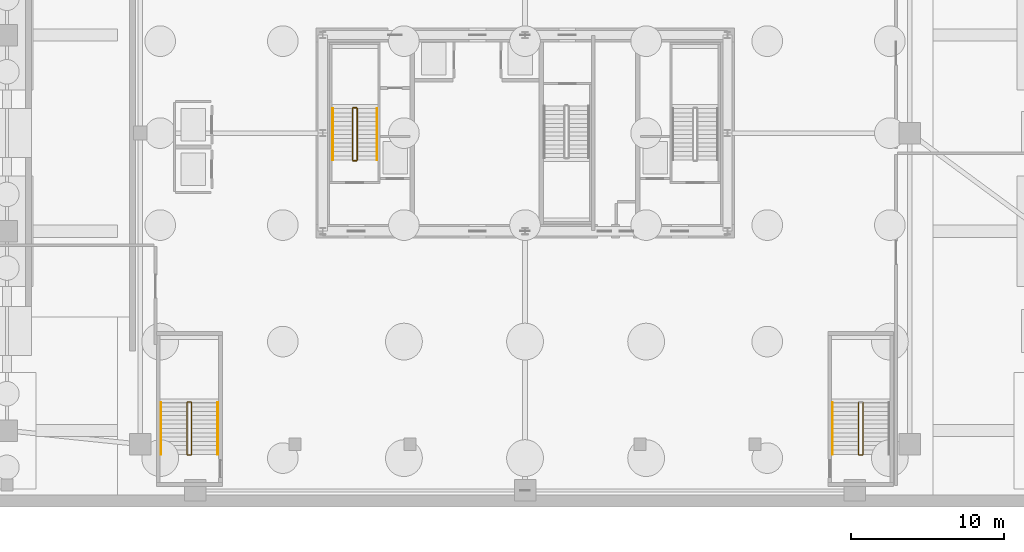
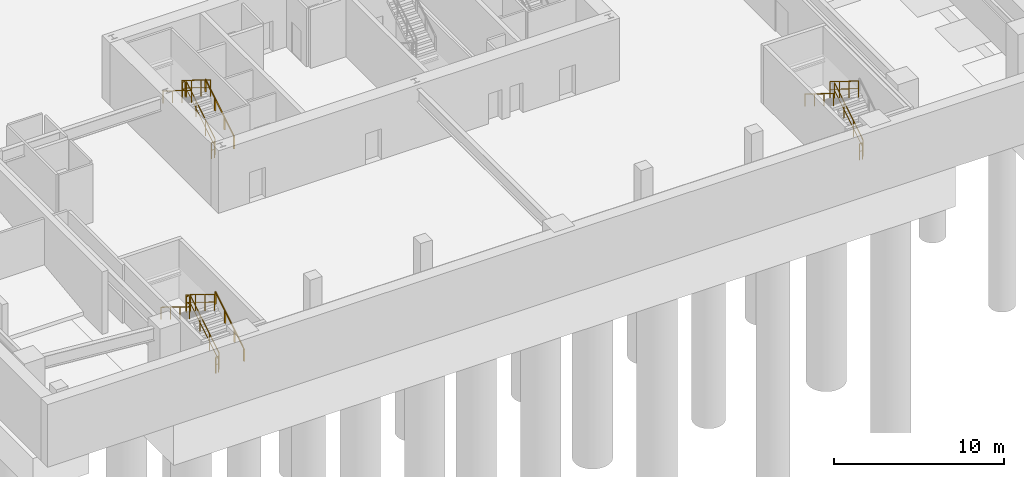
# One storey, part 8 of 10: 16 railings.
"""IFC4 building model written with IfcOpenShell, lengths in metres."""

from ifc_helpers import new_model, si_unit, direction, frame, origin, origin_2d, place, context, subcontext, project, spatial, rectangle, extrude, source, transform, mapped, material, layer, layer_set, type_object, element, save


model = new_model("IFC4")

# Units and contexts
model_context = context("Model", 3, precision=1e-05, world=origin(), true_north=direction((0.0, 1.0)))
body_context = subcontext(model_context, "Body", "Model", "MODEL_VIEW")
ifc_project = project(units=[si_unit("LENGTHUNIT", "METRE"), si_unit("AREAUNIT", "SQUARE_METRE"), si_unit("VOLUMEUNIT", "CUBIC_METRE"), si_unit("PLANEANGLEUNIT", "RADIAN"), si_unit("MASSUNIT", "GRAM", prefix="KILO"), si_unit("THERMODYNAMICTEMPERATUREUNIT", "KELVIN"), si_unit("POWERUNIT", "WATT")], contexts=[model_context])

# Site, building, storey
site_placement = place(None, origin())
site = spatial("IfcSite", under=ifc_project, at=site_placement, CompositionType="ELEMENT")
building_placement = place(site_placement, origin())
building = spatial("IfcBuilding", under=site, at=building_placement, Name="Yuzanri Waterfront Tower", CompositionType="ELEMENT")
storey_placement = place(building_placement, frame((0.0, 0.0, -9.0)))
storey = spatial("IfcBuildingStorey", under=building, at=storey_placement, Name="B02", CompositionType="ELEMENT", Elevation=-9.0)

# Railings
ifc_material_1 = material(Name="Painted Galvanized Fire Steel", Category="steel")
ifc_layer_1 = layer(ifc_material_1, 0.06005859375)
ifc_layer_set_1 = layer_set([ifc_layer_1], Name="Painted Galvanized Fire Steel")
railing_type_1 = type_object("IfcRailingType", Name="Painted Steel Stairwell Guardrail 1120", PredefinedType="GUARDRAIL", material=ifc_layer_set_1)
shared_shape_1 = source(origin(), body_context, "Body", "SweptSolid", [
    extrude(rectangle(XDim=0.050048828125, YDim=0.050048828125, at=origin_2d()), frame((0.0, 0.0, 1.1748046875), z_axis=(0.0, 0.850606129759, 0.525803396734), x_axis=(-1.0, 0.0, 0.0)), (0.0, 0.0, 1.0), 3.949951171875),
    extrude(rectangle(XDim=0.035888671875, YDim=0.030029296875, at=origin_2d()), frame((0.0, 0.0, 0.6240234375), z_axis=(0.0, 0.850606129759, 0.525803396734), x_axis=(-1.0, 0.0, 0.0)), (0.0, 0.0, 1.0), 3.949951171875),
    extrude(rectangle(XDim=0.0458984375, YDim=0.0458984375, at=origin_2d()), origin(), (0.0, 0.0, 1.0), 1.14990234375),
    extrude(rectangle(XDim=0.0458984375, YDim=0.0458984375, at=origin_2d()), frame((0.0, 1.119873046875, 0.6923828125)), (0.0, 0.0, 1.0), 1.14990234375),
    extrude(rectangle(XDim=0.0458984375, YDim=0.0458984375, at=origin_2d()), frame((0.0, 2.239990234375, 1.384521484375)), (0.0, 0.0, 1.0), 1.14990234375),
    extrude(rectangle(XDim=0.0458984375, YDim=0.0458984375, at=origin_2d()), frame((0.0, 3.35986328125, 2.076904296875)), (0.0, 0.0, 1.0), 1.14990234375),
])
for number, where, name in (
    (1, (26.050048828125, 24.0400390625, 0.173095703125), "B02 ST-01 stair guard 1"),
    (2, (15.25, 4.85009765625, 0.173095703125), "B02 PST-01 stair guard 1"),
    (3, (59.050048828125, 4.85009765625, 0.173095703125), "B02 PST-02 stair guard 1"),
):
    element("IfcRailing", number, at=place(storey_placement, frame(where)), inside=storey, type_object=railing_type_1, Name=name, PredefinedType="GUARDRAIL", context=body_context, shape_type="MappedRepresentation", body=[
        mapped(shared_shape_1, transform((0.0, 0.0, 0.0), scale=1.0)),
    ])
shared_shape_2 = source(origin(), body_context, "Body", "SweptSolid", [
    extrude(rectangle(XDim=0.050048828125, YDim=0.050048828125, at=origin_2d()), frame((0.0, 0.0, 1.1748046875), z_axis=(-1.0, 0.0, 0.0), x_axis=(0.0, -1.0, 0.0)), (0.0, 0.0, 1.0), 0.199951171875),
    extrude(rectangle(XDim=0.035888671875, YDim=0.030029296875, at=origin_2d()), frame((0.0, 0.0, 0.6240234375), z_axis=(-1.0, 0.0, 0.0), x_axis=(0.0, -1.0, 0.0)), (0.0, 0.0, 1.0), 0.199951171875),
    extrude(rectangle(XDim=0.0458984375, YDim=0.0458984375, at=origin_2d()), origin(), (0.0, 0.0, 1.0), 1.14990234375),
    extrude(rectangle(XDim=0.0458984375, YDim=0.0458984375, at=origin_2d()), frame((-0.199951171875, 0.0, 0.0)), (0.0, 0.0, 1.0), 1.14990234375),
])
for number, where, name in (
    (4, (26.0, 27.449951171875, 2.25), "B02 ST-01 stair guard 2"),
    (5, (26.0, 23.989990234375, 0.0), "B02 ST-01 stair guard 4"),
    (6, (15.199951171875, 8.260009765625, 2.25), "B02 PST-01 stair guard 2"),
    (7, (15.199951171875, 4.800048828125, 0.0), "B02 PST-01 stair guard 4"),
    (8, (59.0, 4.800048828125, 0.0), "B02 PST-02 stair guard 4"),
):
    element("IfcRailing", number, at=place(storey_placement, frame(where)), inside=storey, type_object=railing_type_1, Name=name, PredefinedType="GUARDRAIL", context=body_context, shape_type="MappedRepresentation", body=[
        mapped(shared_shape_2, transform((0.0, 0.0, 0.0), scale=1.0)),
    ])
shared_shape_3 = source(origin(), body_context, "Body", "SweptSolid", [
    extrude(rectangle(XDim=0.050048828125, YDim=0.050048828125, at=origin_2d()), frame((0.0, 0.0, 1.1748046875), z_axis=(0.0, -0.850606129759, 0.525803396734), x_axis=(1.0, 0.0, 0.0)), (0.0, 0.0, 1.0), 3.949951171875),
    extrude(rectangle(XDim=0.035888671875, YDim=0.030029296875, at=origin_2d()), frame((0.0, 0.0, 0.6240234375), z_axis=(0.0, -0.850606129759, 0.525803396734), x_axis=(1.0, 0.0, 0.0)), (0.0, 0.0, 1.0), 3.949951171875),
    extrude(rectangle(XDim=0.0458984375, YDim=0.0458984375, at=origin_2d()), origin(), (0.0, 0.0, 1.0), 1.14990234375),
    extrude(rectangle(XDim=0.0458984375, YDim=0.0458984375, at=origin_2d()), frame((0.0, -1.119873046875, 0.6923828125)), (0.0, 0.0, 1.0), 1.14990234375),
    extrude(rectangle(XDim=0.0458984375, YDim=0.0458984375, at=origin_2d()), frame((0.0, -2.239990234375, 1.384521484375)), (0.0, 0.0, 1.0), 1.14990234375),
    extrude(rectangle(XDim=0.0458984375, YDim=0.0458984375, at=origin_2d()), frame((0.0, -3.35986328125, 2.076904296875)), (0.0, 0.0, 1.0), 1.14990234375),
])
for number, where, name in (
    (9, (25.75, 27.39990234375, 2.423095703125), "B02 ST-01 stair guard 3"),
    (10, (14.949951171875, 8.2099609375, 2.423095703125), "B02 PST-01 stair guard 3"),
    (11, (58.75, 8.2099609375, 2.423095703125), "B02 PST-02 stair guard 3"),
):
    element("IfcRailing", number, at=place(storey_placement, frame(where)), inside=storey, type_object=railing_type_1, Name=name, PredefinedType="GUARDRAIL", context=body_context, shape_type="MappedRepresentation", body=[
        mapped(shared_shape_3, transform((0.0, 0.0, 0.0), scale=1.0)),
    ])
ifc_material_2 = material(Name="Anodized Architectural Bronze", Category="metal")
ifc_layer_2 = layer(ifc_material_2, 0.050048828125)
ifc_layer_set_2 = layer_set([ifc_layer_2], Name="Anodized Architectural Bronze")
railing_type_2 = type_object("IfcRailingType", Name="Brushed Bronze Stair Pitch Handrail 920", PredefinedType="HANDRAIL", material=ifc_layer_set_2)
shared_shape_4 = source(origin(), body_context, "Body", "SweptSolid", [
    extrude(rectangle(XDim=0.050048828125, YDim=0.050048828125, at=origin_2d()), frame((0.0, 0.0, 0.875), z_axis=(0.0, 0.850606129759, 0.525803396734), x_axis=(-1.0, 0.0, 0.0)), (0.0, 0.0, 1.0), 3.949951171875),
    extrude(rectangle(XDim=0.0458984375, YDim=0.0458984375, at=origin_2d()), origin(), (0.0, 0.0, 1.0), 0.849853515625),
    extrude(rectangle(XDim=0.0458984375, YDim=0.0458984375, at=origin_2d()), frame((0.0, 1.119873046875, 0.6923828125)), (0.0, 0.0, 1.0), 0.849853515625),
    extrude(rectangle(XDim=0.0458984375, YDim=0.0458984375, at=origin_2d()), frame((0.0, 2.239990234375, 1.384521484375)), (0.0, 0.0, 1.0), 0.849853515625),
    extrude(rectangle(XDim=0.0458984375, YDim=0.0458984375, at=origin_2d()), frame((0.0, 3.35986328125, 2.076904296875)), (0.0, 0.0, 1.0), 0.849853515625),
])
for number, where, name in (
    (12, (27.35009765625, 24.0400390625, 0.173095703125), "B02 ST-01 stair handrail 1"),
    (13, (16.949951171875, 4.85009765625, 0.173095703125), "B02 PST-01 stair handrail 1"),
):
    element("IfcRailing", number, at=place(storey_placement, frame(where)), inside=storey, type_object=railing_type_2, Name=name, PredefinedType="HANDRAIL", context=body_context, shape_type="MappedRepresentation", body=[
        mapped(shared_shape_4, transform((0.0, 0.0, 0.0), scale=1.0)),
    ])
shared_shape_5 = source(origin(), body_context, "Body", "SweptSolid", [
    extrude(rectangle(XDim=0.050048828125, YDim=0.050048828125, at=origin_2d()), frame((0.0, 0.0, 0.875), z_axis=(0.0, -0.850606129759, 0.525803396734), x_axis=(1.0, 0.0, 0.0)), (0.0, 0.0, 1.0), 3.949951171875),
    extrude(rectangle(XDim=0.0458984375, YDim=0.0458984375, at=origin_2d()), origin(), (0.0, 0.0, 1.0), 0.849853515625),
    extrude(rectangle(XDim=0.0458984375, YDim=0.0458984375, at=origin_2d()), frame((0.0, -1.119873046875, 0.6923828125)), (0.0, 0.0, 1.0), 0.849853515625),
    extrude(rectangle(XDim=0.0458984375, YDim=0.0458984375, at=origin_2d()), frame((0.0, -2.239990234375, 1.384521484375)), (0.0, 0.0, 1.0), 0.849853515625),
    extrude(rectangle(XDim=0.0458984375, YDim=0.0458984375, at=origin_2d()), frame((0.0, -3.35986328125, 2.076904296875)), (0.0, 0.0, 1.0), 0.849853515625),
])
for number, where, name in (
    (14, (24.449951171875, 27.39990234375, 2.423095703125), "B02 ST-01 stair handrail 2"),
    (15, (13.25, 8.2099609375, 2.423095703125), "B02 PST-01 stair handrail 2"),
    (16, (57.050048828125, 8.2099609375, 2.423095703125), "B02 PST-02 stair handrail 2"),
):
    element("IfcRailing", number, at=place(storey_placement, frame(where)), inside=storey, type_object=railing_type_2, Name=name, PredefinedType="HANDRAIL", context=body_context, shape_type="MappedRepresentation", body=[
        mapped(shared_shape_5, transform((0.0, 0.0, 0.0), scale=1.0)),
    ])

save(model, "model.ifc")
